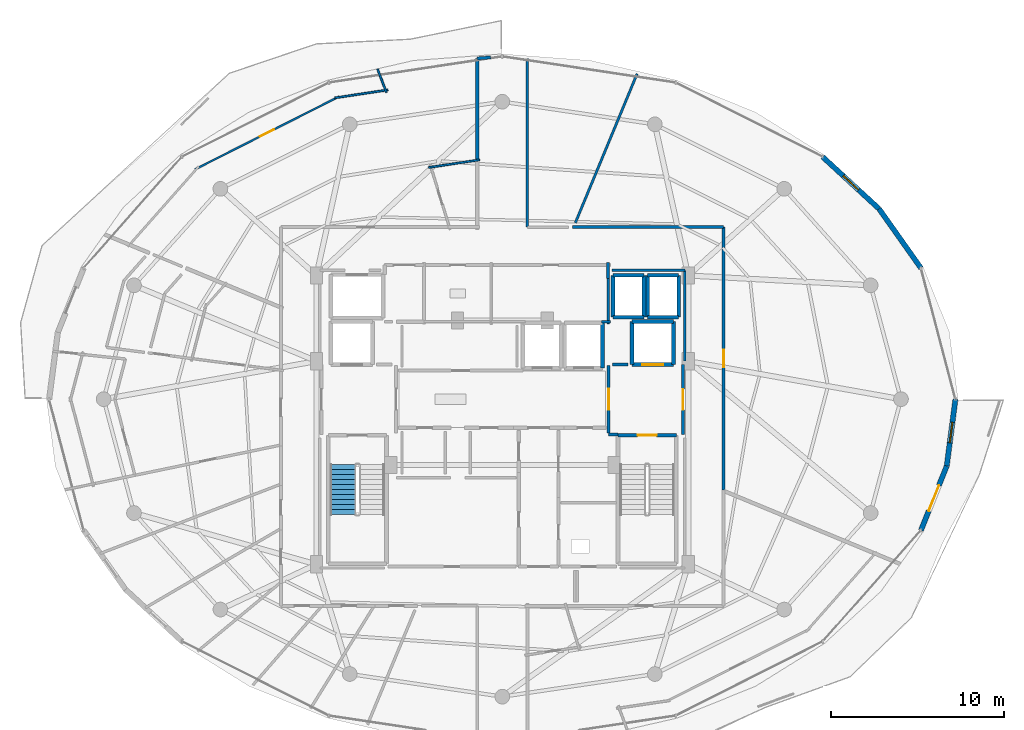
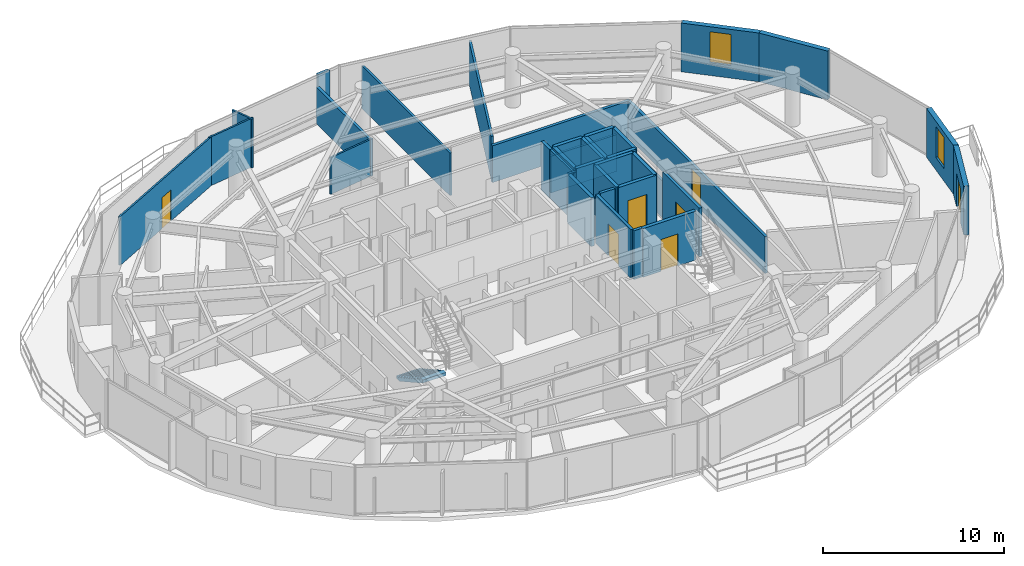
# One storey, part 25 of 30: 37 walls, 7 doors, 2 windows, 1 stair flight, 9 openings, 1 element without a shape of its own.
"""IFC4 building model written with IfcOpenShell, lengths in metres."""

from ifc_helpers import new_model, si_unit, direction, frame, frame_2d, origin, place, context, subcontext, project, spatial, polyline, rectangle, outline, extrude, material, layer, layer_set, type_object, element, fill, aggregate, save


model = new_model("IFC4")

# Units and contexts
model_context = context("Model", 3, precision=1e-05, world=origin(), true_north=direction((0.0, 1.0)))
body_context = subcontext(model_context, "Body", "Model", "MODEL_VIEW")
ifc_project = project(units=[si_unit("LENGTHUNIT", "METRE"), si_unit("AREAUNIT", "SQUARE_METRE"), si_unit("VOLUMEUNIT", "CUBIC_METRE"), si_unit("PLANEANGLEUNIT", "RADIAN"), si_unit("MASSUNIT", "GRAM", prefix="KILO")], contexts=[model_context])

# Site, building, storey
site_placement = place(None, origin())
site = spatial("IfcSite", under=ifc_project, at=site_placement, CompositionType="ELEMENT")
building_placement = place(site_placement, origin())
building = spatial("IfcBuilding", under=site, at=building_placement, Name="Vorneva Point Tower", CompositionType="ELEMENT")
storey_placement = place(building_placement, frame((0.0, 0.0, 237.800048828125)))
storey = spatial("IfcBuildingStorey", under=building, at=storey_placement, Name="L64", CompositionType="ELEMENT", Elevation=237.800048828125)

# Wall, opening, door
ifc_material_1 = material(Name="Concrete B60 (C50/60)", Category="concrete")
ifc_layer_1 = layer(ifc_material_1, 0.35009765625)
ifc_layer_set_1 = layer_set([ifc_layer_1], Name="Concrete B60 (C50/60)")
wall_type_1 = type_object("IfcWallType", Name="WL-CORE-350", PredefinedType="SHEAR", material=ifc_layer_set_1)
wall_1_placement = place(storey_placement, frame((45.5, 28.0, 0.0), z_axis=(0.0, 0.0, 1.0), x_axis=(1.0, 0.0, 0.0)))
wall_1 = element("IfcWall", 1, at=wall_1_placement, inside=storey, type_object=wall_type_1, Name="L64 Lift FFL2 Shaft Wall -Y", PredefinedType="SHEAR", context=body_context, shape_type="SweptSolid", body=[
    extrude(rectangle(XDim=2.39990234375, YDim=0.219970703125, at=frame_2d((1.199951171875, 0.0))), origin(), (0.0, 0.0, 1.0), 3.2900390625),
])
opening_1_placement = place(wall_1_placement, frame((0.60009765625, 0.0, 0.0)))
opening_1 = element("IfcOpeningElement", 2, at=opening_1_placement, cuts=wall_1, Name="Opening LD-02", PredefinedType="OPENING", context=body_context, shape_type="SweptSolid", body=[
    extrude(rectangle(XDim=1.199951171875, YDim=2.199951171875, at=frame_2d((0.60009765625, 1.10009765625))), frame((0.0, 0.125, 0.0), z_axis=(0.0, -1.0, 0.0), x_axis=(1.0, 0.0, 0.0)), (0.0, 0.0, 1.0), 0.249755859375),
])
ifc_material_2 = material(Name="Brushed stainless steel S304", Category="steel")
door_type_1 = type_object("IfcDoorType", Name="LD-FIRE-1200", OperationType="SLIDING_TO_LEFT", PredefinedType="DOOR", material=ifc_material_2)
door_1_placement = place(opening_1_placement, origin())
door_1 = element("IfcDoor", 3, at=door_1_placement, inside=storey, type_object=door_type_1, Name="L64 Lift FFL2 Sliding Landing Door", OperationType="SLIDING_TO_LEFT", OverallHeight=2.199951171875, OverallWidth=1.199951171875, PredefinedType="DOOR", context=body_context, shape_type="SweptSolid", body=[
    extrude(rectangle(XDim=1.199951171875, YDim=2.199951171875, at=frame_2d((0.60009765625, 1.10009765625))), frame((0.0, 0.02490234375, 0.0), z_axis=(0.0, -1.0, 0.0), x_axis=(1.0, 0.0, 0.0)), (0.0, 0.0, 1.0), 0.050048828125),
])
fill(opening_1, door_1)

# Walls
wall_2_placement = place(storey_placement, frame((47.89990234375, 28.0, 0.0), z_axis=(0.0, 0.0, 1.0), x_axis=(0.0, 1.0, 0.0)))
element("IfcWall", 4, at=wall_2_placement, inside=storey, type_object=wall_type_1, Name="L64 Lift FFL2 Shaft Wall +X", PredefinedType="SHEAR", context=body_context, shape_type="SweptSolid", body=[
    extrude(rectangle(XDim=2.5, YDim=0.219970703125, at=frame_2d((1.25, 0.0))), origin(), (0.0, 0.0, 1.0), 3.2900390625),
])
wall_3_placement = place(storey_placement, frame((47.89990234375, 30.5, 0.0), z_axis=(0.0, 0.0, 1.0), x_axis=(-1.0, 0.0, 0.0)))
element("IfcWall", 5, at=wall_3_placement, inside=storey, type_object=wall_type_1, Name="L64 Lift FFL2 Shaft Wall +Y", PredefinedType="SHEAR", context=body_context, shape_type="SweptSolid", body=[
    extrude(rectangle(XDim=2.39990234375, YDim=0.219970703125, at=frame_2d((1.199951171875, 0.0))), origin(), (0.0, 0.0, 1.0), 3.2900390625),
])
wall_4_placement = place(storey_placement, frame((45.5, 30.5, 0.0), z_axis=(0.0, 0.0, 1.0), x_axis=(0.0, -1.0, 0.0)))
element("IfcWall", 6, at=wall_4_placement, inside=storey, type_object=wall_type_1, Name="L64 Lift FFL2 Shaft Wall -X", PredefinedType="SHEAR", context=body_context, shape_type="SweptSolid", body=[
    extrude(rectangle(XDim=2.5, YDim=0.219970703125, at=frame_2d((1.25, 0.0))), origin(), (0.0, 0.0, 1.0), 3.2900390625),
])
ifc_material_3 = material(Name="Precast concrete B50 (C40/50)", Category="concrete")
ifc_layer_2 = layer(ifc_material_3, 0.300048828125)
ifc_layer_set_2 = layer_set([ifc_layer_2], Name="Precast concrete B50 (C40/50)")
wall_type_2 = type_object("IfcWallType", Name="WL-EXT-300", PredefinedType="STANDARD", material=ifc_layer_set_2)
wall_5_placement = place(storey_placement, frame((62.20556640625, 33.5810546875, 0.0), z_axis=(0.0, 0.0, 1.0), x_axis=(-0.577261247247, 0.816559521668, 0.0)))
element("IfcWall", 7, at=wall_5_placement, inside=storey, type_object=wall_type_2, Name="L64 Pale-Metal Facade Spandrel Wall 02.1", PredefinedType="STANDARD", context=body_context, shape_type="SweptSolid", body=[
    extrude(rectangle(XDim=4.194091796875, YDim=0.300048828125, at=frame_2d((2.09716796875, 0.0))), origin(), (0.0, 0.0, 1.0), 3.2900390625),
])

# Wall, opening, window
wall_6_placement = place(storey_placement, frame((59.784423828125, 37.005859375, 0.0), z_axis=(0.0, 0.0, 1.0), x_axis=(-0.735445373611, 0.677584018727, 0.0)))
wall_6 = element("IfcWall", 8, at=wall_6_placement, inside=storey, type_object=wall_type_2, Name="L64 Pale-Metal Facade Spandrel Wall 02.2", PredefinedType="STANDARD", context=body_context, shape_type="SweptSolid", body=[
    extrude(rectangle(XDim=4.430419921875, YDim=0.300048828125, at=frame_2d((2.21533203125, 0.0))), origin(), (0.0, 0.0, 1.0), 3.2900390625),
])
opening_2_placement = place(wall_6_placement, frame((1.615234375, 0.0, 0.85009765625)))
opening_2 = element("IfcOpeningElement", 9, at=opening_2_placement, cuts=wall_6, Name="Opening W-04", PredefinedType="OPENING", context=body_context, shape_type="SweptSolid", body=[
    extrude(rectangle(XDim=1.199951171875, YDim=2.10009765625, at=frame_2d((0.60009765625, 1.050048828125))), frame((0.0, 0.1650390625, 0.0), z_axis=(0.0, -1.0, 0.0), x_axis=(1.0, 0.0, 0.0)), (0.0, 0.0, 1.0), 0.329833984375),
])
ifc_material_4 = material(Name="Double low-e laminated glass IGU", Category="glass")
window_type = type_object("IfcWindowType", Name="WN-RES-1200", PartitioningType="SINGLE_PANEL", PredefinedType="WINDOW", material=ifc_material_4)
window_1_placement = place(opening_2_placement, origin())
window_1 = element("IfcWindow", 10, at=window_1_placement, inside=storey, type_object=window_type, Name="L64 Facade Window 02", OverallHeight=2.10009765625, OverallWidth=1.199951171875, PartitioningType="SINGLE_PANEL", PredefinedType="WINDOW", context=body_context, shape_type="SweptSolid", body=[
    extrude(rectangle(XDim=1.199951171875, YDim=2.10009765625, at=frame_2d((0.60009765625, 1.050048828125))), frame((0.0, 0.030029296875, 0.0), z_axis=(0.0, -1.0, 0.0), x_axis=(1.0, 0.0, 0.0)), (0.0, 0.0, 1.0), 0.06005859375),
])
fill(opening_2, window_1)

# Wall, opening, door
wall_7_placement = place(storey_placement, frame((62.20556640625, 18.4189453125, 0.0), z_axis=(0.0, 0.0, 1.0), x_axis=(0.37234708598, 0.928093555393, 0.0)))
wall_7 = element("IfcWall", 11, at=wall_7_placement, inside=storey, type_object=wall_type_2, Name="L64 Pale-Metal Facade Spandrel Wall 16.1", PredefinedType="STANDARD", context=body_context, shape_type="SweptSolid", body=[
    extrude(rectangle(XDim=4.004150390625, YDim=0.300048828125, at=frame_2d((2.001953125, 0.0))), origin(), (0.0, 0.0, 1.0), 3.2900390625),
])
opening_3_placement = place(wall_7_placement, frame((1.2021484375, 0.0, 0.0)))
opening_3 = element("IfcOpeningElement", 12, at=opening_3_placement, cuts=wall_7, Name="Opening BD-01", PredefinedType="OPENING", context=body_context, shape_type="SweptSolid", body=[
    extrude(rectangle(XDim=1.60009765625, YDim=2.300048828125, at=frame_2d((0.800048828125, 1.14990234375))), frame((0.0, 0.1650390625, 0.0), z_axis=(0.0, -1.0, 0.0), x_axis=(1.0, 0.0, 0.0)), (0.0, 0.0, 1.0), 0.329833984375),
])
ifc_material_5 = material(Name="Pale anodised aluminium", Category="aluminium")
door_type_2 = type_object("IfcDoorType", Name="DR-BAL-1600", OperationType="SLIDING_TO_LEFT", PredefinedType="DOOR", material=ifc_material_5)
door_2_placement = place(opening_3_placement, origin())
door_2 = element("IfcDoor", 13, at=door_2_placement, inside=storey, type_object=door_type_2, Name="L64 Balcony Terrace Access Door 16", OperationType="SLIDING_TO_LEFT", OverallHeight=2.300048828125, OverallWidth=1.60009765625, PredefinedType="DOOR", context=body_context, shape_type="SweptSolid", body=[
    extrude(rectangle(XDim=1.60009765625, YDim=2.300048828125, at=frame_2d((0.800048828125, 1.14990234375))), frame((0.0, 0.02490234375, 0.0), z_axis=(0.0, -1.0, 0.0), x_axis=(1.0, 0.0, 0.0)), (0.0, 0.0, 1.0), 0.050048828125),
])
fill(opening_3, door_2)

# Wall, opening, window
wall_8_placement = place(storey_placement, frame((63.696533203125, 22.13525390625, 0.0), z_axis=(0.0, 0.0, 1.0), x_axis=(0.129167789917, 0.991622751881, 0.0)))
wall_8 = element("IfcWall", 14, at=wall_8_placement, inside=storey, type_object=wall_type_2, Name="L64 Pale-Metal Facade Spandrel Wall 16.2", PredefinedType="STANDARD", context=body_context, shape_type="SweptSolid", body=[
    extrude(rectangle(XDim=3.8974609375, YDim=0.300048828125, at=frame_2d((1.94873046875, 0.0))), origin(), (0.0, 0.0, 1.0), 3.2900390625),
])
opening_4_placement = place(wall_8_placement, frame((1.3486328125, 0.0, 0.85009765625)))
opening_4 = element("IfcOpeningElement", 15, at=opening_4_placement, cuts=wall_8, Name="Opening W-04", PredefinedType="OPENING", context=body_context, shape_type="SweptSolid", body=[
    extrude(rectangle(XDim=1.199951171875, YDim=2.10009765625, at=frame_2d((0.60009765625, 1.050048828125))), frame((0.0, 0.1650390625, 0.0), z_axis=(0.0, -1.0, 0.0), x_axis=(1.0, 0.0, 0.0)), (0.0, 0.0, 1.0), 0.329833984375),
])
window_2_placement = place(opening_4_placement, origin())
window_2 = element("IfcWindow", 16, at=window_2_placement, inside=storey, type_object=window_type, Name="L64 Facade Window 16", OverallHeight=2.10009765625, OverallWidth=1.199951171875, PartitioningType="SINGLE_PANEL", PredefinedType="WINDOW", context=body_context, shape_type="SweptSolid", body=[
    extrude(rectangle(XDim=1.199951171875, YDim=2.10009765625, at=frame_2d((0.60009765625, 1.050048828125))), frame((0.0, 0.030029296875, 0.0), z_axis=(0.0, -1.0, 0.0), x_axis=(1.0, 0.0, 0.0)), (0.0, 0.0, 1.0), 0.06005859375),
])
fill(opening_4, window_2)

# Walls
ifc_material_6 = material(Name="Fire-rated acoustic gypsum stud partition", Category="gypsum")
ifc_layer_3 = layer(ifc_material_6, 0.110107421875)
ifc_layer_set_3 = layer_set([ifc_layer_3], Name="Fire-rated acoustic gypsum stud partition")
wall_type_3 = type_object("IfcWallType", Name="WL-PART-110", PredefinedType="PARTITIONING", material=ifc_layer_set_3)
wall_9_placement = place(storey_placement, frame((33.734619140625, 39.394287109375, 0.0), z_axis=(0.0, 0.0, 1.0), x_axis=(0.988862493006, 0.148832019156, 0.0)))
element("IfcWall", 17, at=wall_9_placement, inside=storey, type_object=wall_type_3, Name="L64 Interior Partition 055", PredefinedType="PARTITIONING", context=body_context, shape_type="SweptSolid", body=[
    extrude(rectangle(XDim=2.987060546875, YDim=0.110107421875, at=frame_2d((1.49365234375, 0.0))), origin(), (0.0, 0.0, 1.0), 2.48193359375),
])
wall_10_placement = place(storey_placement, frame((31.389404296875, 43.8818359375, 0.0), z_axis=(0.0, 0.0, 1.0), x_axis=(-0.988858596585, -0.148857905265, 0.0)))
element("IfcWall", 18, at=wall_10_placement, inside=storey, type_object=wall_type_3, Name="L64 Interior Partition 056", PredefinedType="PARTITIONING", context=body_context, shape_type="SweptSolid", body=[
    extrude(rectangle(XDim=3.114501953125, YDim=0.110107421875, at=frame_2d((1.55712890625, 0.0))), origin(), (0.0, 0.0, 1.0), 3.2900390625),
])

# Wall, opening, door
wall_11_placement = place(storey_placement, frame((28.572998046875, 43.502197265625, 0.0), z_axis=(0.0, 0.0, 1.0), x_axis=(-0.892502876412, -0.451041700507, 0.0)))
wall_11 = element("IfcWall", 19, at=wall_11_placement, inside=storey, type_object=wall_type_3, Name="L64 Interior Partition 057", PredefinedType="PARTITIONING", context=body_context, shape_type="SweptSolid", body=[
    extrude(rectangle(XDim=9.352294921875, YDim=0.110107421875, at=frame_2d((4.67626953125, 0.0))), origin(), (0.0, 0.0, 1.0), 3.2900390625),
])
opening_5_placement = place(wall_11_placement, frame((4.226318359375, 0.0, 0.0)))
opening_5 = element("IfcOpeningElement", 20, at=opening_5_placement, cuts=wall_11, Name="Opening ID-01", PredefinedType="OPENING", context=body_context, shape_type="SweptSolid", body=[
    extrude(rectangle(XDim=0.89990234375, YDim=2.10009765625, at=frame_2d((0.449951171875, 1.050048828125))), frame((0.0, 0.06982421875, 0.0), z_axis=(0.0, -1.0, 0.0), x_axis=(1.0, 0.0, 0.0)), (0.0, 0.0, 1.0), 0.139892578125),
])
ifc_material_7 = material(Name="Engineered oak fire-rated door leaf", Category="wood")
door_type_3 = type_object("IfcDoorType", Name="DR-ROOM-900", OperationType="NOTDEFINED", PredefinedType="DOOR", material=ifc_material_7)
door_3_placement = place(opening_5_placement, origin())
door_3 = element("IfcDoor", 21, at=door_3_placement, inside=storey, type_object=door_type_3, Name="L64 Door Studio Apartment L64-01 / Kitchen L64-01", OperationType="SINGLE_SWING_LEFT", OverallHeight=2.10009765625, OverallWidth=0.89990234375, PredefinedType="DOOR", context=body_context, shape_type="SweptSolid", body=[
    extrude(rectangle(XDim=0.89990234375, YDim=2.10009765625, at=frame_2d((0.449951171875, 1.050048828125))), frame((0.0, 0.02490234375, 0.0), z_axis=(0.0, -1.0, 0.0), x_axis=(1.0, 0.0, 0.0)), (0.0, 0.0, 1.0), 0.050048828125),
])
fill(opening_5, door_3)

# Walls
wall_12_placement = place(storey_placement, frame((30.78662109375, 45.0888671875, 0.0), z_axis=(0.0, 0.0, 1.0), x_axis=(0.353737146492, -0.935344872863, 0.0)))
element("IfcWall", 22, at=wall_12_placement, inside=storey, type_object=wall_type_3, Name="L64 Interior Partition 059", PredefinedType="PARTITIONING", context=body_context, shape_type="SweptSolid", body=[
    extrude(rectangle(XDim=1.452880859375, YDim=0.110107421875, at=frame_2d((0.7265625, 0.0))), origin(), (0.0, 0.0, 1.0), 3.2900390625),
])
ifc_layer_4 = layer(ifc_material_6, 0.139892578125)
ifc_layer_set_4 = layer_set([ifc_layer_4], Name="Fire-rated acoustic gypsum stud partition")
wall_type_4 = type_object("IfcWallType", Name="WL-PART-140", PredefinedType="PARTITIONING", material=ifc_layer_set_4)
wall_13_placement = place(storey_placement, frame((43.735107421875, 30.47998046875, 0.0), z_axis=(0.0, 0.0, 1.0), x_axis=(1.0, 0.0, 0.0)))
element("IfcWall", 23, at=wall_13_placement, inside=storey, type_object=wall_type_4, Name="L64 Interior Closure Partition 094", PredefinedType="PARTITIONING", context=body_context, shape_type="SweptSolid", body=[
    extrude(rectangle(XDim=0.52490234375, YDim=0.139892578125, at=frame_2d((0.262451171875, 0.0))), origin(), (0.0, 0.0, 1.0), 3.2900390625),
])
wall_14_placement = place(storey_placement, frame((44.1201171875, 30.340087890625, 0.0), z_axis=(0.0, 0.0, 1.0), x_axis=(0.0, 1.0, 0.0)))
element("IfcWall", 24, at=wall_14_placement, inside=storey, type_object=wall_type_4, Name="L64 Interior Closure Partition 095", PredefinedType="PARTITIONING", context=body_context, shape_type="SweptSolid", body=[
    extrude(rectangle(XDim=2.659912109375, YDim=0.139892578125, at=frame_2d((1.330078125, 0.0))), origin(), (0.0, 0.0, 1.0), 3.2900390625),
])
wall_15_placement = place(storey_placement, frame((39.449951171875, 35.949951171875, 0.0), z_axis=(0.0, 0.0, 1.0), x_axis=(0.0, 1.0, 0.0)))
element("IfcWall", 25, at=wall_15_placement, inside=storey, type_object=wall_type_4, Name="L64 Interior Closure Partition 104", PredefinedType="PARTITIONING", context=body_context, shape_type="SweptSolid", body=[
    extrude(rectangle(XDim=9.7509765625, YDim=0.139892578125, at=frame_2d((4.87548828125, 0.0))), origin(), (0.0, 0.0, 1.0), 2.8740234375),
])
wall_16_placement = place(storey_placement, frame((48.550048828125, 28.196044921875, 0.0), z_axis=(0.0, 0.0, 1.0), x_axis=(0.0, 1.0, 0.0)))
element("IfcWall", 26, at=wall_16_placement, inside=storey, type_object=wall_type_4, Name="L64 Interior Closure Partition 108", PredefinedType="PARTITIONING", context=body_context, shape_type="SweptSolid", body=[
    extrude(rectangle(XDim=5.25390625, YDim=0.139892578125, at=frame_2d((2.626953125, 0.0))), origin(), (0.0, 0.0, 1.0), 2.48193359375),
])
wall_17_placement = place(storey_placement, frame((48.550048828125, 33.449951171875, 0.0), z_axis=(0.0, 0.0, 1.0), x_axis=(-1.0, 0.0, 0.0)))
element("IfcWall", 27, at=wall_17_placement, inside=storey, type_object=wall_type_4, Name="L64 Interior Closure Partition 109", PredefinedType="PARTITIONING", context=body_context, shape_type="SweptSolid", body=[
    extrude(rectangle(XDim=4.2099609375, YDim=0.139892578125, at=frame_2d((2.10498046875, 0.0))), origin(), (0.0, 0.0, 1.0), 2.48193359375),
])
wall_18_placement = place(storey_placement, frame((45.79296875, 44.81298828125, 0.0), z_axis=(0.0, 0.0, 1.0), x_axis=(-0.382742241568, -0.923855170749, 0.0)))
element("IfcWall", 28, at=wall_18_placement, inside=storey, type_object=wall_type_4, Name="L64 Interior Closure Partition 123", PredefinedType="PARTITIONING", context=body_context, shape_type="SweptSolid", body=[
    extrude(rectangle(XDim=9.332763671875, YDim=0.139892578125, at=frame_2d((4.66650390625, 0.0))), origin(), (0.0, 0.0, 1.0), 2.8740234375),
])

# Wall, opening, door
ifc_material_8 = material(Name="Autoclaved aerated concrete blockwork", Category="masonry")
ifc_layer_5 = layer(ifc_material_8, 0.179931640625)
ifc_layer_set_5 = layer_set([ifc_layer_5], Name="Autoclaved aerated concrete blockwork")
wall_type_5 = type_object("IfcWallType", Name="WL-PART-180", PredefinedType="PARTITIONING", material=ifc_layer_set_5)
wall_19_placement = place(storey_placement, frame((44.14990234375, 27.955078125, 0.0), z_axis=(0.0, 0.0, 1.0), x_axis=(0.0, -1.0, 0.0)))
wall_19 = element("IfcWall", 29, at=wall_19_placement, inside=storey, type_object=wall_type_5, Name="L64 Interior Partition 003", PredefinedType="PARTITIONING", context=body_context, shape_type="SweptSolid", body=[
    extrude(rectangle(XDim=3.91015625, YDim=0.179931640625, at=frame_2d((1.955078125, 0.0))), origin(), (0.0, 0.0, 1.0), 3.2900390625),
])
opening_6_placement = place(wall_19_placement, frame((1.35498046875, 0.0, 0.0)))
opening_6 = element("IfcOpeningElement", 30, at=opening_6_placement, cuts=wall_19, Name="Opening FD-02", PredefinedType="OPENING", context=body_context, shape_type="SweptSolid", body=[
    extrude(rectangle(XDim=1.199951171875, YDim=2.14990234375, at=frame_2d((0.60009765625, 1.074951171875))), frame((0.0, 0.10498046875, 0.0), z_axis=(0.0, -1.0, 0.0), x_axis=(1.0, 0.0, 0.0)), (0.0, 0.0, 1.0), 0.209716796875),
])
ifc_material_9 = material(Name="Fire-rated powder-coated steel", Category="steel")
door_type_4 = type_object("IfcDoorType", Name="DR-FFL-1200", OperationType="NOTDEFINED", PredefinedType="DOOR", material=ifc_material_9)
door_4_placement = place(opening_6_placement, origin())
door_4 = element("IfcDoor", 31, at=door_4_placement, inside=storey, type_object=door_type_4, Name="L64 Door East Firefighting Lobby / Central Lift Lobby", OperationType="SINGLE_SWING_LEFT", OverallHeight=2.14990234375, OverallWidth=1.199951171875, PredefinedType="DOOR", context=body_context, shape_type="SweptSolid", body=[
    extrude(rectangle(XDim=1.199951171875, YDim=2.14990234375, at=frame_2d((0.60009765625, 1.074951171875))), frame((0.0, 0.02490234375, 0.0), z_axis=(0.0, -1.0, 0.0), x_axis=(1.0, 0.0, 0.0)), (0.0, 0.0, 1.0), 0.050048828125),
])
fill(opening_6, door_4)

# Wall
wall_20_placement = place(storey_placement, frame((44.14990234375, 23.949951171875, 0.0), z_axis=(0.0, 0.0, 1.0), x_axis=(1.0, 0.0, 0.0)))
element("IfcWall", 32, at=wall_20_placement, inside=storey, type_object=wall_type_5, Name="L64 Interior Partition 004", PredefinedType="PARTITIONING", context=body_context, shape_type="SweptSolid", body=[
    extrude(rectangle(XDim=0.5400390625, YDim=0.179931640625, at=frame_2d((0.27001953125, 0.0))), origin(), (0.0, 0.0, 1.0), 3.2900390625),
])

# Wall, opening, door
wall_21_placement = place(storey_placement, frame((48.449951171875, 23.949951171875, 0.0), z_axis=(0.0, 0.0, 1.0), x_axis=(0.0, 1.0, 0.0)))
wall_21 = element("IfcWall", 33, at=wall_21_placement, inside=storey, type_object=wall_type_5, Name="L64 Interior Partition 005", PredefinedType="PARTITIONING", context=body_context, shape_type="SweptSolid", body=[
    extrude(rectangle(XDim=4.050048828125, YDim=0.179931640625, at=frame_2d((2.02490234375, 0.0))), origin(), (0.0, 0.0, 1.0), 3.2900390625),
])
opening_7_placement = place(wall_21_placement, frame((1.425048828125, 0.0, 0.0)))
opening_7 = element("IfcOpeningElement", 34, at=opening_7_placement, cuts=wall_21, Name="Opening FD-02", PredefinedType="OPENING", context=body_context, shape_type="SweptSolid", body=[
    extrude(rectangle(XDim=1.199951171875, YDim=2.14990234375, at=frame_2d((0.60009765625, 1.074951171875))), frame((0.0, 0.10498046875, 0.0), z_axis=(0.0, -1.0, 0.0), x_axis=(1.0, 0.0, 0.0)), (0.0, 0.0, 1.0), 0.209716796875),
])
door_5_placement = place(opening_7_placement, origin())
door_5 = element("IfcDoor", 35, at=door_5_placement, inside=storey, type_object=door_type_4, Name="L64 Door East Firefighting Lobby / L64 Circulation Corridor", OperationType="SINGLE_SWING_LEFT", OverallHeight=2.14990234375, OverallWidth=1.199951171875, PredefinedType="DOOR", context=body_context, shape_type="SweptSolid", body=[
    extrude(rectangle(XDim=1.199951171875, YDim=2.14990234375, at=frame_2d((0.60009765625, 1.074951171875))), frame((0.0, 0.02490234375, 0.0), z_axis=(0.0, -1.0, 0.0), x_axis=(1.0, 0.0, 0.0)), (0.0, 0.0, 1.0), 0.050048828125),
])
fill(opening_7, door_5)

# Walls
wall_22_placement = place(storey_placement, frame((44.1201171875, 32.969970703125, 0.0), z_axis=(0.0, 0.0, 1.0), x_axis=(0.0, 1.0, 0.0)))
element("IfcWall", 36, at=wall_22_placement, inside=storey, type_object=wall_type_5, Name="L64 Interior Partition 027", PredefinedType="PARTITIONING", context=body_context, shape_type="SweptSolid", body=[
    extrude(rectangle(XDim=0.929931640625, YDim=0.179931640625, at=frame_2d((0.46484375, 0.0))), origin(), (0.0, 0.0, 1.0), 3.2900390625),
])
wall_23_placement = place(storey_placement, frame((37.3291015625, 45.760009765625, 0.0), z_axis=(0.0, 0.0, 1.0), x_axis=(-0.997136622012, -0.0756211415, 0.0)))
element("IfcWall", 37, at=wall_23_placement, inside=storey, type_object=wall_type_5, Name="L64 Interior Partition 031", PredefinedType="PARTITIONING", context=body_context, shape_type="SweptSolid", body=[
    extrude(rectangle(XDim=0.78125, YDim=0.179931640625, at=frame_2d((0.390625, 0.0))), origin(), (0.0, 0.0, 1.0), 3.2900390625),
])
wall_24_placement = place(storey_placement, frame((36.550048828125, 45.700927734375, 0.0), z_axis=(0.0, 0.0, 1.0), x_axis=(0.0, -1.0, 0.0)))
element("IfcWall", 38, at=wall_24_placement, inside=storey, type_object=wall_type_5, Name="L64 Interior Partition 032", PredefinedType="PARTITIONING", context=body_context, shape_type="SweptSolid", body=[
    extrude(rectangle(XDim=5.94384765625, YDim=0.179931640625, at=frame_2d((2.971923828125, 0.0))), origin(), (0.0, 0.0, 1.0), 2.48193359375),
])

# Wall, opening, door
wall_25_placement = place(storey_placement, frame((50.800048828125, 20.758056640625, 0.0), z_axis=(0.0, 0.0, 1.0), x_axis=(0.0, 1.0, 0.0)))
wall_25 = element("IfcWall", 39, at=wall_25_placement, inside=storey, type_object=wall_type_5, Name="L64 Interior Partition 052", PredefinedType="PARTITIONING", context=body_context, shape_type="SweptSolid", body=[
    extrude(rectangle(XDim=15.19189453125, YDim=0.179931640625, at=frame_2d((7.595947265625, 0.0))), origin(), (0.0, 0.0, 1.0), 2.48193359375),
])
opening_8_placement = place(wall_25_placement, frame((7.095947265625, 0.0, 0.0)))
opening_8 = element("IfcOpeningElement", 40, at=opening_8_placement, cuts=wall_25, Name="Opening UD-01", PredefinedType="OPENING", context=body_context, shape_type="SweptSolid", body=[
    extrude(rectangle(XDim=1.0, YDim=2.14990234375, at=frame_2d((0.5, 1.074951171875))), frame((0.0, 0.10498046875, 0.0), z_axis=(0.0, -1.0, 0.0), x_axis=(1.0, 0.0, 0.0)), (0.0, 0.0, 1.0), 0.209716796875),
])
door_type_5 = type_object("IfcDoorType", Name="DR-UNIT-1000", OperationType="NOTDEFINED", PredefinedType="DOOR", material=ifc_material_7)
door_6_placement = place(opening_8_placement, origin())
door_6 = element("IfcDoor", 41, at=door_6_placement, inside=storey, type_object=door_type_5, Name="L64 Door L64 Circulation Corridor / Residents Sky Lounge L64-04", OperationType="SINGLE_SWING_LEFT", OverallHeight=2.14990234375, OverallWidth=1.0, PredefinedType="DOOR", context=body_context, shape_type="SweptSolid", body=[
    extrude(rectangle(XDim=1.0, YDim=2.14990234375, at=frame_2d((0.5, 1.074951171875))), frame((0.0, 0.02490234375, 0.0), z_axis=(0.0, -1.0, 0.0), x_axis=(1.0, 0.0, 0.0)), (0.0, 0.0, 1.0), 0.050048828125),
])
fill(opening_8, door_6)

# Walls
wall_26_placement = place(storey_placement, frame((50.800048828125, 35.949951171875, 0.0), z_axis=(0.0, 0.0, 1.0), x_axis=(-1.0, 0.0, 0.0)))
element("IfcWall", 42, at=wall_26_placement, inside=storey, type_object=wall_type_5, Name="L64 Interior Partition 053", PredefinedType="PARTITIONING", context=body_context, shape_type="SweptSolid", body=[
    extrude(rectangle(XDim=8.739013671875, YDim=0.179931640625, at=frame_2d((4.36962890625, 0.0))), origin(), (0.0, 0.0, 1.0), 2.48193359375),
])
wall_27_placement = place(storey_placement, frame((45.280029296875, 28.0, 0.0), z_axis=(0.0, 0.0, 1.0), x_axis=(-1.0, 0.0, 0.0)))
element("IfcWall", 43, at=wall_27_placement, inside=storey, type_object=wall_type_5, Name="L64 Interior Closure Partition 092", PredefinedType="PARTITIONING", context=body_context, shape_type="SweptSolid", body=[
    extrude(rectangle(XDim=0.9150390625, YDim=0.179931640625, at=frame_2d((0.45751953125, 0.0))), origin(), (0.0, 0.0, 1.0), 3.2900390625),
])

# Wall, opening, door
ifc_material_10 = material(Name="Concrete B50 (C40/50)", Category="concrete")
ifc_layer_6 = layer(ifc_material_10, 0.219970703125)
ifc_layer_set_6 = layer_set([ifc_layer_6], Name="Concrete B50 (C40/50)")
wall_type_6 = type_object("IfcWallType", Name="WL-SHFT-220", PredefinedType="SOLIDWALL", material=ifc_layer_set_6)
wall_28_placement = place(storey_placement, frame((44.68994140625, 23.909912109375, 0.0), z_axis=(0.0, 0.0, 1.0), x_axis=(1.0, 0.0, 0.0)))
wall_28 = element("IfcWall", 44, at=wall_28_placement, inside=storey, type_object=wall_type_6, Name="L64 Exit Stair ST2 Shaft Wall near", PredefinedType="SOLIDWALL", context=body_context, shape_type="SweptSolid", body=[
    extrude(rectangle(XDim=3.3701171875, YDim=0.219970703125, at=frame_2d((1.68505859375, 0.0))), origin(), (0.0, 0.0, 1.0), 3.2900390625),
])
opening_9_placement = place(wall_28_placement, frame((1.135009765625, 0.0, 0.0)))
opening_9 = element("IfcOpeningElement", 45, at=opening_9_placement, cuts=wall_28, Name="Opening FD-01", PredefinedType="OPENING", context=body_context, shape_type="SweptSolid", body=[
    extrude(rectangle(XDim=1.10009765625, YDim=2.14990234375, at=frame_2d((0.550048828125, 1.074951171875))), frame((0.0, 0.125, 0.0), z_axis=(0.0, -1.0, 0.0), x_axis=(1.0, 0.0, 0.0)), (0.0, 0.0, 1.0), 0.249755859375),
])
door_type_6 = type_object("IfcDoorType", Name="DR-STAIR-1100", OperationType="NOTDEFINED", PredefinedType="DOOR", material=ifc_material_9)
door_7_placement = place(opening_9_placement, origin())
door_7 = element("IfcDoor", 46, at=door_7_placement, inside=storey, type_object=door_type_6, Name="L64 Exit Stair ST2 Fire Door", OperationType="SINGLE_SWING_LEFT", OverallHeight=2.14990234375, OverallWidth=1.10009765625, PredefinedType="DOOR", context=body_context, shape_type="SweptSolid", body=[
    extrude(rectangle(XDim=1.10009765625, YDim=2.14990234375, at=frame_2d((0.550048828125, 1.074951171875))), frame((0.0, 0.02490234375, 0.0), z_axis=(0.0, -1.0, 0.0), x_axis=(1.0, 0.0, 0.0)), (0.0, 0.0, 1.0), 0.050048828125),
])
fill(opening_9, door_7)

# Walls
wall_29_placement = place(storey_placement, frame((43.800048828125, 27.800048828125, 0.0), z_axis=(0.0, 0.0, 1.0), x_axis=(0.0, 1.0, 0.0)))
element("IfcWall", 47, at=wall_29_placement, inside=storey, type_object=wall_type_6, Name="L64 Lift PL8 Shaft Wall +X", PredefinedType="SOLIDWALL", context=body_context, shape_type="SweptSolid", body=[
    extrude(rectangle(XDim=2.599853515625, YDim=0.219970703125, at=frame_2d((1.2998046875, 0.0))), origin(), (0.0, 0.0, 1.0), 3.2900390625),
])
wall_30_placement = place(storey_placement, frame((44.39990234375, 30.739990234375, 0.0), z_axis=(0.0, 0.0, 1.0), x_axis=(1.0, 0.0, 0.0)))
element("IfcWall", 48, at=wall_30_placement, inside=storey, type_object=wall_type_6, Name="L64 Lift EX1 Shaft Wall -Y", PredefinedType="SOLIDWALL", context=body_context, shape_type="SweptSolid", body=[
    extrude(rectangle(XDim=1.800048828125, YDim=0.219970703125, at=frame_2d((0.89990234375, 0.0))), origin(), (0.0, 0.0, 1.0), 3.2900390625),
])
wall_31_placement = place(storey_placement, frame((46.199951171875, 30.739990234375, 0.0), z_axis=(0.0, 0.0, 1.0), x_axis=(0.0, 1.0, 0.0)))
element("IfcWall", 49, at=wall_31_placement, inside=storey, type_object=wall_type_6, Name="L64 Lift EX1 Shaft Wall +X", PredefinedType="SOLIDWALL", context=body_context, shape_type="SweptSolid", body=[
    extrude(rectangle(XDim=2.419921875, YDim=0.219970703125, at=frame_2d((1.2099609375, 0.0))), origin(), (0.0, 0.0, 1.0), 3.2900390625),
])
wall_32_placement = place(storey_placement, frame((46.199951171875, 33.159912109375, 0.0), z_axis=(0.0, 0.0, 1.0), x_axis=(-1.0, 0.0, 0.0)))
element("IfcWall", 50, at=wall_32_placement, inside=storey, type_object=wall_type_6, Name="L64 Lift EX1 Shaft Wall +Y", PredefinedType="SOLIDWALL", context=body_context, shape_type="SweptSolid", body=[
    extrude(rectangle(XDim=1.800048828125, YDim=0.219970703125, at=frame_2d((0.89990234375, 0.0))), origin(), (0.0, 0.0, 1.0), 3.2900390625),
])
wall_33_placement = place(storey_placement, frame((44.39990234375, 33.159912109375, 0.0), z_axis=(0.0, 0.0, 1.0), x_axis=(0.0, -1.0, 0.0)))
element("IfcWall", 51, at=wall_33_placement, inside=storey, type_object=wall_type_6, Name="L64 Lift EX1 Shaft Wall -X", PredefinedType="SOLIDWALL", context=body_context, shape_type="SweptSolid", body=[
    extrude(rectangle(XDim=2.419921875, YDim=0.219970703125, at=frame_2d((1.2099609375, 0.0))), origin(), (0.0, 0.0, 1.0), 3.2900390625),
])
wall_34_placement = place(storey_placement, frame((46.39990234375, 30.739990234375, 0.0), z_axis=(0.0, 0.0, 1.0), x_axis=(1.0, 0.0, 0.0)))
element("IfcWall", 52, at=wall_34_placement, inside=storey, type_object=wall_type_6, Name="L64 Lift EX2 Shaft Wall -Y", PredefinedType="SOLIDWALL", context=body_context, shape_type="SweptSolid", body=[
    extrude(rectangle(XDim=1.800048828125, YDim=0.219970703125, at=frame_2d((0.89990234375, 0.0))), origin(), (0.0, 0.0, 1.0), 3.2900390625),
])
wall_35_placement = place(storey_placement, frame((48.199951171875, 30.739990234375, 0.0), z_axis=(0.0, 0.0, 1.0), x_axis=(0.0, 1.0, 0.0)))
element("IfcWall", 53, at=wall_35_placement, inside=storey, type_object=wall_type_6, Name="L64 Lift EX2 Shaft Wall +X", PredefinedType="SOLIDWALL", context=body_context, shape_type="SweptSolid", body=[
    extrude(rectangle(XDim=2.419921875, YDim=0.219970703125, at=frame_2d((1.2099609375, 0.0))), origin(), (0.0, 0.0, 1.0), 3.2900390625),
])
wall_36_placement = place(storey_placement, frame((48.199951171875, 33.159912109375, 0.0), z_axis=(0.0, 0.0, 1.0), x_axis=(-1.0, 0.0, 0.0)))
element("IfcWall", 54, at=wall_36_placement, inside=storey, type_object=wall_type_6, Name="L64 Lift EX2 Shaft Wall +Y", PredefinedType="SOLIDWALL", context=body_context, shape_type="SweptSolid", body=[
    extrude(rectangle(XDim=1.800048828125, YDim=0.219970703125, at=frame_2d((0.89990234375, 0.0))), origin(), (0.0, 0.0, 1.0), 3.2900390625),
])
wall_37_placement = place(storey_placement, frame((46.39990234375, 33.159912109375, 0.0), z_axis=(0.0, 0.0, 1.0), x_axis=(0.0, -1.0, 0.0)))
element("IfcWall", 55, at=wall_37_placement, inside=storey, type_object=wall_type_6, Name="L64 Lift EX2 Shaft Wall -X", PredefinedType="SOLIDWALL", context=body_context, shape_type="SweptSolid", body=[
    extrude(rectangle(XDim=2.419921875, YDim=0.219970703125, at=frame_2d((1.2099609375, 0.0))), origin(), (0.0, 0.0, 1.0), 3.2900390625),
])

# Stair, stair flight
stair_type = type_object("IfcStairType", Name="ST-DOG-1500", PredefinedType="HALF_TURN_STAIR", material=ifc_material_10)
stair_placement = place(storey_placement, origin())
stair = element("IfcStair", 56, at=stair_placement, inside=storey, type_object=stair_type, Name="L64 ST1", PredefinedType="HALF_TURN_STAIR")
stair_flight_type = type_object("IfcStairFlightType", Name="STF-1500", PredefinedType="STRAIGHT", material=ifc_material_10)
stair_flight_placement = place(storey_placement, frame((28.800048828125, 22.219970703125, 0.0), z_axis=(0.0, 0.0, 1.0), x_axis=(0.0, -1.0, 0.0)))
stair_flight = element("IfcStairFlight", 57, at=stair_flight_placement, type_object=stair_flight_type, Name="ST1 flight 1", NumberOfRisers=11, NumberOfTreads=10, PredefinedType="STRAIGHT", RiserHeight=0.161363636, TreadLength=0.29, context=body_context, shape_type="SweptSolid", body=[
    extrude(outline(polyline([(0.0, 0.0), (0.0, 0.161376953125), (0.2900390625, 0.161376953125), (0.2900390625, 0.32275390625), (0.580078125, 0.32275390625), (0.580078125, 0.484130859375), (0.8701171875, 0.484130859375), (0.8701171875, 0.6455078125), (1.159912109375, 0.6455078125), (1.159912109375, 0.806884765625), (1.449951171875, 0.806884765625), (1.449951171875, 0.96826171875), (1.739990234375, 0.96826171875), (1.739990234375, 1.129638671875), (2.030029296875, 1.129638671875), (2.030029296875, 1.291015625), (2.320068359375, 1.291015625), (2.320068359375, 1.452392578125), (2.610107421875, 1.452392578125), (2.610107421875, 1.613525390625), (2.89990234375, 1.613525390625), (2.89990234375, 1.77490234375), (2.89990234375, 1.40771484375), (0.3701171875, 0.0), (0.0, 0.0)])), frame((0.0, 0.75, 0.0), z_axis=(0.0, -1.0, 0.0), x_axis=(1.0, 0.0, 0.0)), (0.0, 0.0, 1.0), 1.5),
])
aggregate(stair, [stair_flight])

save(model, "model.ifc")
